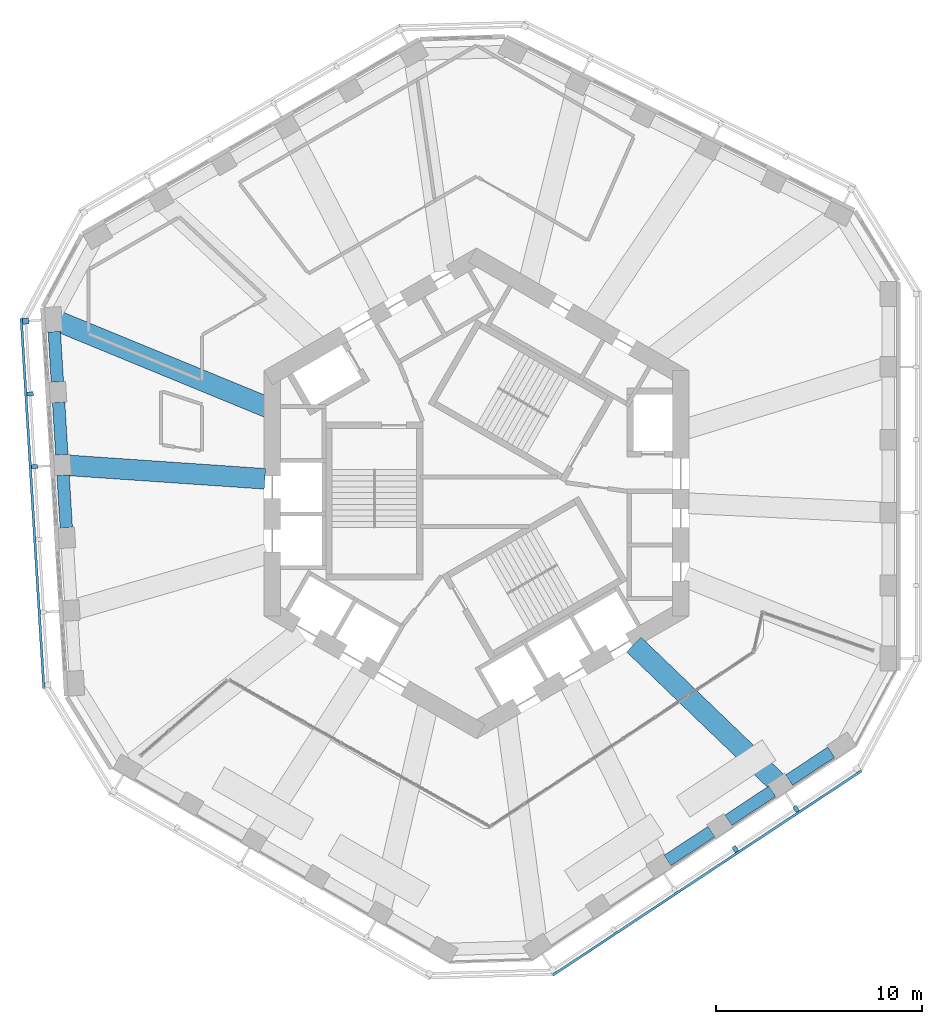
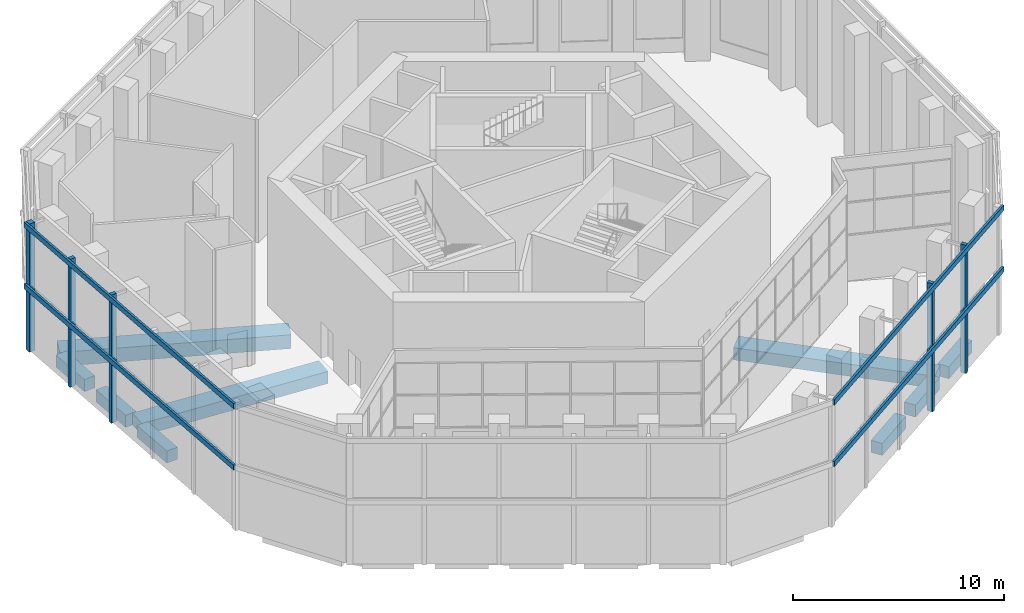
# One storey, part 4 of 17: 9 beams, 9 members, 2 elements without a shape of their own.
"""IFC4 building model written with IfcOpenShell, lengths in metres."""

from ifc_helpers import new_model, si_unit, direction, frame, origin, origin_2d, place, context, subcontext, project, spatial, rectangle, extrude, material, material_profile, profile_set, type_object, element, aggregate, save


model = new_model("IFC4")

# Units and contexts
model_context = context("Model", 3, precision=1e-05, world=origin(), true_north=direction((0.0, 1.0)))
body_context = subcontext(model_context, "Body", "Model", "MODEL_VIEW")
ifc_project = project(units=[si_unit("LENGTHUNIT", "METRE"), si_unit("AREAUNIT", "SQUARE_METRE"), si_unit("VOLUMEUNIT", "CUBIC_METRE"), si_unit("PLANEANGLEUNIT", "RADIAN"), si_unit("MASSUNIT", "GRAM", prefix="KILO")], contexts=[model_context])

# Site, building, storey
site_placement = place(None, origin())
site = spatial("IfcSite", under=ifc_project, at=site_placement, CompositionType="ELEMENT")
building_placement = place(site_placement, origin())
building = spatial("IfcBuilding", under=site, at=building_placement, Name="Vanh Sen Convention Tower", CompositionType="ELEMENT")
storey_placement = place(building_placement, frame((0.0, 0.0, 214.300048828125)))
storey = spatial("IfcBuildingStorey", under=building, at=storey_placement, Name="L53", CompositionType="ELEMENT", Elevation=214.300048828125)

# Curtain wall, members
ifc_material_1 = material(Name="Concrete C50/60", Category="concrete")
curtain_wall_type = type_object("IfcCurtainWallType", Name="Outer skin office zone", PredefinedType="NOTDEFINED", material=ifc_material_1)
curtain_wall_1_placement = place(storey_placement, origin())
curtain_wall_1 = element("IfcCurtainWall", 1, at=curtain_wall_1_placement, inside=storey, type_object=curtain_wall_type, Name="OUTER SKIN W L53", PredefinedType="NOTDEFINED")
ifc_material_profile_1 = material_profile(ifc_material_1, rectangle(XDim=0.300048828125, YDim=0.300048828125, at=origin_2d()), Name="Outer skin precast corner fin 300 x 300")
ifc_profile_set_1 = profile_set([ifc_material_profile_1], Name="Concrete C50/60")
member_type_1 = type_object("IfcMemberType", Name="Outer skin precast corner fin 300 x 300", PredefinedType="MULLION", material=ifc_profile_set_1)
member_1_placement = place(storey_placement, frame((-21.850341796875, 8.346923828125, 0.0), z_axis=(0.0, 0.0, 1.0), x_axis=(0.061048539535, -0.998134798422, 0.0)))
member_1 = element("IfcMember", 2, at=member_1_placement, type_object=member_type_1, Name="OUTER SKIN CORNER FIN 1 W L53", PredefinedType="MULLION", context=body_context, shape_type="SweptSolid", body=[
    extrude(rectangle(XDim=0.300048828125, YDim=0.300048828125, at=origin_2d()), origin(), (0.0, 0.0, 1.0), 7.39990234375),
])
ifc_material_profile_2 = material_profile(ifc_material_1, rectangle(XDim=0.199951171875, YDim=0.300048828125, at=origin_2d()), Name="Outer skin precast fin 200 x 300")
ifc_profile_set_2 = profile_set([ifc_material_profile_2], Name="Concrete C50/60")
member_type_2 = type_object("IfcMemberType", Name="Outer skin precast fin 200 x 300", PredefinedType="MULLION", material=ifc_profile_set_2)
member_2_placement = place(storey_placement, frame((-21.634521484375, 4.820068359375, 0.0), z_axis=(0.0, 0.0, 1.0), x_axis=(0.061048539535, -0.998134798422, 0.0)))
member_2 = element("IfcMember", 3, at=member_2_placement, type_object=member_type_2, Name="OUTER SKIN fin 2 W L53", PredefinedType="MULLION", context=body_context, shape_type="SweptSolid", body=[
    extrude(rectangle(XDim=0.199951171875, YDim=0.300048828125, at=origin_2d()), origin(), (0.0, 0.0, 1.0), 7.39990234375),
])
member_3_placement = place(storey_placement, frame((-21.4189453125, 1.29296875, 0.0), z_axis=(0.0, 0.0, 1.0), x_axis=(0.061048539535, -0.998134798422, 0.0)))
member_3 = element("IfcMember", 4, at=member_3_placement, type_object=member_type_2, Name="OUTER SKIN fin 3 W L53", PredefinedType="MULLION", context=body_context, shape_type="SweptSolid", body=[
    extrude(rectangle(XDim=0.199951171875, YDim=0.300048828125, at=origin_2d()), origin(), (0.0, 0.0, 1.0), 7.39990234375),
])

curtain_wall_2_placement = place(storey_placement, origin())
curtain_wall_2 = element("IfcCurtainWall", 5, at=curtain_wall_2_placement, inside=storey, type_object=curtain_wall_type, Name="OUTER SKIN SE L53", PredefinedType="NOTDEFINED")
member_4_placement = place(storey_placement, frame((12.536376953125, -17.245361328125, 0.0), z_axis=(0.0, 0.0, 1.0), x_axis=(0.833885822067, 0.551936985312, 0.0)))
member_4 = element("IfcMember", 6, at=member_4_placement, type_object=member_type_2, Name="OUTER SKIN fin 4 SE L53", PredefinedType="MULLION", context=body_context, shape_type="SweptSolid", body=[
    extrude(rectangle(XDim=0.199951171875, YDim=0.300048828125, at=origin_2d()), origin(), (0.0, 0.0, 1.0), 7.39990234375),
])
member_5_placement = place(storey_placement, frame((15.48291015625, -15.294921875, 0.0), z_axis=(0.0, 0.0, 1.0), x_axis=(0.833885822067, 0.551936985312, 0.0)))
member_5 = element("IfcMember", 7, at=member_5_placement, type_object=member_type_2, Name="OUTER SKIN fin 5 SE L53", PredefinedType="MULLION", context=body_context, shape_type="SweptSolid", body=[
    extrude(rectangle(XDim=0.199951171875, YDim=0.300048828125, at=origin_2d()), origin(), (0.0, 0.0, 1.0), 7.39990234375),
])

# Member
ifc_material_profile_3 = material_profile(ifc_material_1, rectangle(XDim=0.1201171875, YDim=0.300048828125, at=origin_2d()), Name="Outer skin precast spandrel band 300 x 120")
ifc_profile_set_3 = profile_set([ifc_material_profile_3], Name="Concrete C50/60")
member_type_3 = type_object("IfcMemberType", Name="Outer skin precast spandrel band 300 x 120", PredefinedType="USERDEFINED", material=ifc_profile_set_3)
member_6_placement = place(storey_placement, frame((-22.069091796875, 8.48388671875, 7.25), z_axis=(0.061048457282, -0.998134803453, 0.0), x_axis=(0.998134803453, 0.061048457282, 0.0)))
member_6 = element("IfcMember", 8, at=member_6_placement, type_object=member_type_3, Name="OUTER SKIN spandrel band W L53", ObjectType="TRANSOM", PredefinedType="USERDEFINED", context=body_context, shape_type="SweptSolid", body=[
    extrude(rectangle(XDim=0.1201171875, YDim=0.300048828125, at=origin_2d()), origin(), (0.0, 0.0, 1.0), 17.968017578125),
])

member_7_placement = place(storey_placement, frame((-22.069091796875, 8.48388671875, 3.699951171875), z_axis=(0.061048457282, -0.998134803453, 0.0), x_axis=(0.998134803453, 0.061048457282, 0.0)))
member_7 = element("IfcMember", 9, at=member_7_placement, type_object=member_type_3, Name="OUTER SKIN spandrel band W L53 mid", ObjectType="TRANSOM", PredefinedType="USERDEFINED", context=body_context, shape_type="SweptSolid", body=[
    extrude(rectangle(XDim=0.1201171875, YDim=0.300048828125, at=origin_2d()), origin(), (0.0, 0.0, 1.0), 17.968017578125),
])

aggregate(curtain_wall_1, [member_1, member_2, member_3, member_6, member_7])

member_8_placement = place(storey_placement, frame((3.687255859375, -23.3544921875, 7.25), z_axis=(0.83388107344, 0.551944159638, 0.0), x_axis=(-0.551944159638, 0.83388107344, 0.0)))
member_8 = element("IfcMember", 10, at=member_8_placement, type_object=member_type_3, Name="OUTER SKIN spandrel band SE L53", ObjectType="TRANSOM", PredefinedType="USERDEFINED", context=body_context, shape_type="SweptSolid", body=[
    extrude(rectangle(XDim=0.1201171875, YDim=0.300048828125, at=origin_2d()), origin(), (0.0, 0.0, 1.0), 17.96826171875),
])

member_9_placement = place(storey_placement, frame((3.687255859375, -23.3544921875, 3.699951171875), z_axis=(0.83388107344, 0.551944159638, 0.0), x_axis=(-0.551944159638, 0.83388107344, 0.0)))
member_9 = element("IfcMember", 11, at=member_9_placement, type_object=member_type_3, Name="OUTER SKIN spandrel band SE L53 mid", ObjectType="TRANSOM", PredefinedType="USERDEFINED", context=body_context, shape_type="SweptSolid", body=[
    extrude(rectangle(XDim=0.1201171875, YDim=0.300048828125, at=origin_2d()), origin(), (0.0, 0.0, 1.0), 17.96826171875),
])

aggregate(curtain_wall_2, [member_4, member_5, member_8, member_9])

# Beams
ifc_material_2 = material(Name="Concrete C50/60", Category="concrete")
ifc_material_profile_4 = material_profile(ifc_material_2, rectangle(XDim=1.0, YDim=0.699951171875, at=origin_2d()), Name="RC 1000X700")
ifc_profile_set_4 = profile_set([ifc_material_profile_4], Name="Concrete C50/60")
beam_type_1 = type_object("IfcBeamType", Name="Radial floor beam 1000 x 700", PredefinedType="BEAM", material=ifc_profile_set_4)
beam_1_placement = place(storey_placement, frame((-20.044189453125, 1.373291015625, -0.699951171875), z_axis=(0.99766210015, -0.068339841412, 0.0), x_axis=(0.068339841412, 0.99766210015, 0.0)))
element("IfcBeam", 12, at=beam_1_placement, inside=storey, type_object=beam_type_1, Name="Radial beam 11 L53", PredefinedType="BEAM", context=body_context, shape_type="SweptSolid", body=[
    extrude(rectangle(XDim=1.0, YDim=0.699951171875, at=origin_2d()), origin(), (0.0, 0.0, 1.0), 9.806396484375),
])
beam_2_placement = place(storey_placement, frame((14.70166015625, -14.134521484375, -0.699951171875), z_axis=(-0.720877485016, 0.693062516369, 0.0), x_axis=(-0.693062516369, -0.720877485016, 0.0)))
element("IfcBeam", 13, at=beam_2_placement, inside=storey, type_object=beam_type_1, Name="Radial beam 18 L53", PredefinedType="BEAM", context=body_context, shape_type="SweptSolid", body=[
    extrude(rectangle(XDim=1.0, YDim=0.699951171875, at=origin_2d()), origin(), (0.0, 0.0, 1.0), 9.82177734375),
])
ifc_material_profile_5 = material_profile(ifc_material_2, rectangle(XDim=1.0, YDim=0.800048828125, at=origin_2d()), Name="RC 1000X800")
ifc_profile_set_5 = profile_set([ifc_material_profile_5], Name="Concrete C50/60")
beam_type_2 = type_object("IfcBeamType", Name="Radial floor beam 1000 x 800", PredefinedType="BEAM", material=ifc_profile_set_5)
beam_3_placement = place(storey_placement, frame((-20.3203125, 8.3544921875, -0.75), z_axis=(0.924877566589, -0.380265021821, 0.0), x_axis=(0.380265021821, 0.924877566589, 0.0)))
element("IfcBeam", 14, at=beam_3_placement, inside=storey, type_object=beam_type_2, Name="Radial beam 10 L53", PredefinedType="BEAM", context=body_context, shape_type="SweptSolid", body=[
    extrude(rectangle(XDim=1.0, YDim=0.800048828125, at=origin_2d()), origin(), (0.0, 0.0, 1.0), 11.044921875),
])
ifc_material_profile_6 = material_profile(ifc_material_2, rectangle(XDim=0.60009765625, YDim=0.699951171875, at=origin_2d()), Name="RC 600X700")
ifc_profile_set_6 = profile_set([ifc_material_profile_6], Name="Concrete C50/60")
beam_type_3 = type_object("IfcBeamType", Name="Spandrel beam 600 x 700", PredefinedType="SPANDREL", material=ifc_profile_set_6)
beam_4_placement = place(storey_placement, frame((-20.466552734375, 7.83544921875, -0.699951171875), z_axis=(0.061047088694, -0.998134887158, 0.0), x_axis=(0.998134887158, 0.061047088694, 0.0)))
element("IfcBeam", 15, at=beam_4_placement, inside=storey, type_object=beam_type_3, Name="Spandrel beam 19 L53", PredefinedType="SPANDREL", context=body_context, shape_type="SweptSolid", body=[
    extrude(rectangle(XDim=0.60009765625, YDim=0.699951171875, at=origin_2d()), origin(), (0.0, 0.0, 1.0), 2.443603515625),
])
for number, where, z_axis, x_axis, name in (
    (16, (-20.2568359375, 4.408447265625, -0.699951171875), (0.061039814536, -0.998135332027, 0.0), (0.998135332027, 0.061039814536, 0.0), "Spandrel beam 20 L53"),
    (17, (-20.041259765625, 0.88134765625, -0.699951171875), (0.061039814536, -0.998135332027, 0.0), (0.998135332027, 0.061039814536, 0.0), "Spandrel beam 21 L53"),
    (18, (9.25732421875, -17.796875, -0.699951171875), (0.833862044683, 0.55197290734, 0.0), (-0.55197290734, 0.833862044683, 0.0), "Spandrel beam 33 L53"),
    (19, (12.2041015625, -15.846435546875, -0.699951171875), (0.833862044683, 0.55197290734, 0.0), (-0.55197290734, 0.833862044683, 0.0), "Spandrel beam 34 L53"),
):
    element("IfcBeam", number, at=place(storey_placement, frame(where, z_axis=z_axis, x_axis=x_axis)), inside=storey, type_object=beam_type_3, Name=name, PredefinedType="SPANDREL", context=body_context, shape_type="SweptSolid", body=[
        extrude(rectangle(XDim=0.60009765625, YDim=0.699951171875, at=origin_2d()), origin(), (0.0, 0.0, 1.0), 2.543701171875),
    ])
beam_5_placement = place(storey_placement, frame((15.150634765625, -13.89599609375, -0.699951171875), z_axis=(0.833920710798, 0.55188427057, 0.0), x_axis=(-0.55188427057, 0.833920710798, 0.0)))
element("IfcBeam", 20, at=beam_5_placement, inside=storey, type_object=beam_type_3, Name="Spandrel beam 35 L53", PredefinedType="SPANDREL", context=body_context, shape_type="SweptSolid", body=[
    extrude(rectangle(XDim=0.60009765625, YDim=0.699951171875, at=origin_2d()), origin(), (0.0, 0.0, 1.0), 2.443603515625),
])

save(model, "model.ifc")
